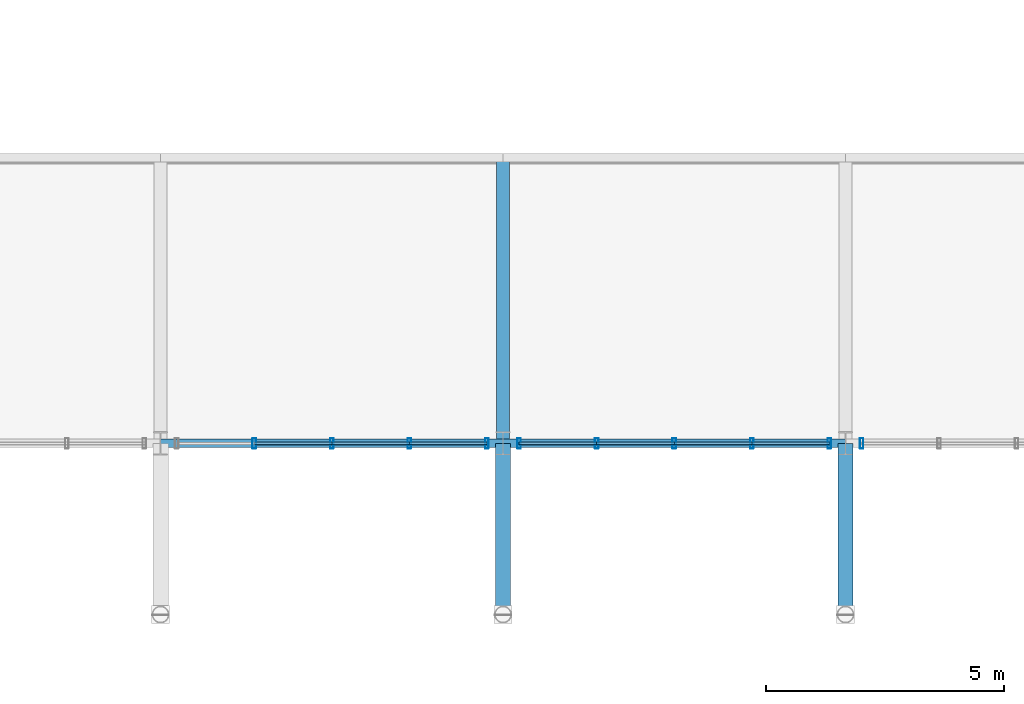
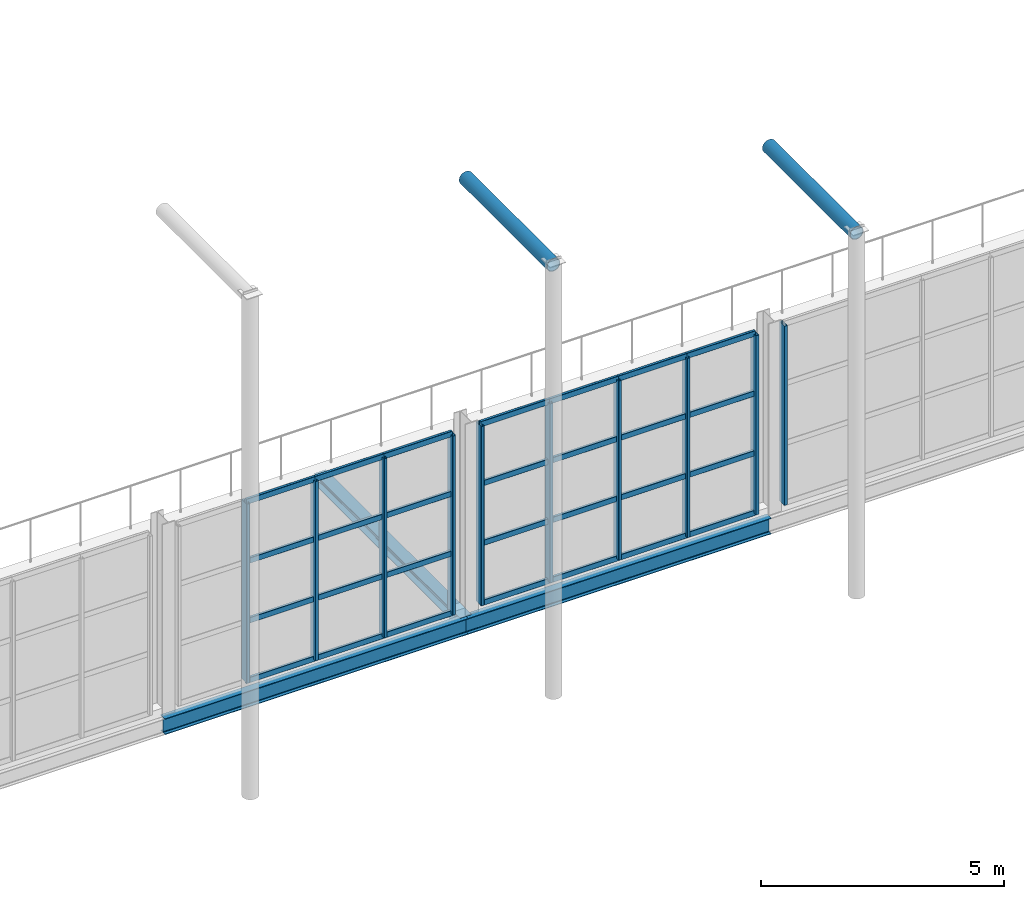
# One storey, part 20 of 143: 38 members, 5 beams, 3 elements without a shape of their own.
"""IFC4 building model written with IfcOpenShell, lengths in metres."""

from ifc_helpers import new_model, si_unit, derived_unit, direction, frame, origin, origin_2d, place, context, subcontext, project, spatial, hollow_rectangle, hollow_circle, i_section, extrude, material, material_profile, profile_set, type_object, element, aggregate, save


model = new_model("IFC4")

# Units and contexts
model_context = context("Model", 3, precision=1e-05, world=origin(), true_north=direction((0.0, 1.0)))
body_context = subcontext(model_context, "Body", "Model", "MODEL_VIEW")
ifc_project = project(units=[si_unit("LENGTHUNIT", "METRE"), si_unit("AREAUNIT", "SQUARE_METRE"), si_unit("VOLUMEUNIT", "CUBIC_METRE"), si_unit("PLANEANGLEUNIT", "RADIAN"), si_unit("MASSUNIT", "GRAM", prefix="KILO"), derived_unit("THERMALTRANSMITTANCEUNIT", [(si_unit("POWERUNIT", "WATT"), 1), (si_unit("LENGTHUNIT", "METRE"), -2), (si_unit("THERMODYNAMICTEMPERATUREUNIT", "KELVIN"), -1)])], contexts=[model_context])

# Site, building, storey
site_placement = place(None, origin())
site = spatial("IfcSite", under=ifc_project, at=site_placement, CompositionType="ELEMENT")
building_placement = place(site_placement, origin())
building = spatial("IfcBuilding", under=site, at=building_placement, Name="Keldorne Ridge Multi-Sports Centre", CompositionType="ELEMENT")
storey_placement = place(building_placement, frame((0.0, 0.0, 4.800048828125)))
storey = spatial("IfcBuildingStorey", under=building, at=storey_placement, Name="L01", CompositionType="ELEMENT", Elevation=4.800048828125)

# Beams
ifc_material_1 = material(Name="Steel S355", Category="steel")
ifc_material_profile_1 = material_profile(ifc_material_1, i_section(OverallWidth=0.179931640625, OverallDepth=0.39990234375, WebThickness=0.008544921875, FlangeThickness=0.013427734375, FilletRadius=0.02099609375, at=origin_2d()), Name="IPE 400")
ifc_profile_set_1 = profile_set([ifc_material_profile_1], Name="Steel S355")
beam_type_1 = type_object("IfcBeamType", Name="BM-B-04", PredefinedType="BEAM", material=ifc_profile_set_1)
beam_1_placement = place(storey_placement, frame((20.39990234375, 9.60009765625, -0.420166015625), z_axis=(1.0, 0.0, 0.0), x_axis=(0.0, 1.0, 0.0)))
element("IfcBeam", 1, at=beam_1_placement, inside=storey, type_object=beam_type_1, Name="L01 mezzanine south beam 3", PredefinedType="BEAM", context=body_context, shape_type="SweptSolid", body=[
    extrude(i_section(OverallWidth=0.179931640625, OverallDepth=0.39990234375, WebThickness=0.008544921875, FlangeThickness=0.013427734375, FilletRadius=0.02099609375, at=origin_2d()), origin(), (0.0, 0.0, 1.0), 7.2001953125),
])
beam_2_placement = place(storey_placement, frame((27.60009765625, 9.60009765625, -0.420166015625), z_axis=(1.0, 0.0, 0.0), x_axis=(0.0, 1.0, 0.0)))
element("IfcBeam", 2, at=beam_2_placement, inside=storey, type_object=beam_type_1, Name="L01 mezzanine south beam 4", PredefinedType="BEAM", context=body_context, shape_type="SweptSolid", body=[
    extrude(i_section(OverallWidth=0.179931640625, OverallDepth=0.39990234375, WebThickness=0.008544921875, FlangeThickness=0.013427734375, FilletRadius=0.02099609375, at=origin_2d()), origin(), (0.0, 0.0, 1.0), 7.199951171875),
])
ifc_material_profile_2 = material_profile(ifc_material_1, hollow_circle(Radius=0.161865234375, WallThickness=0.01611328125, at=origin_2d()), Name="CHS 323.9x16")
ifc_profile_set_2 = profile_set([ifc_material_profile_2], Name="Steel S355")
beam_type_2 = type_object("IfcBeamType", Name="BM-B-19", PredefinedType="BEAM", material=ifc_profile_set_2)
for number, where, z_axis, x_axis, name in (
    (3, (27.60009765625, 9.60009765625, 10.7900390625), (0.0, -1.0, 0.0), (1.0, 0.0, 0.0), "Colonnade eave rafter 04"),
    (4, (34.800048828125, 9.60009765625, 9.070068359375), (0.0, -1.0, 0.0), (1.0, 0.0, 0.0), "Colonnade eave rafter 05"),
):
    element("IfcBeam", number, at=place(storey_placement, frame(where, z_axis=z_axis, x_axis=x_axis)), inside=storey, type_object=beam_type_2, Name=name, PredefinedType="BEAM", context=body_context, shape_type="SweptSolid", body=[
        extrude(hollow_circle(Radius=0.161865234375, WallThickness=0.01611328125, at=origin_2d()), origin(), (0.0, 0.0, 1.0), 3.60009765625),
    ])
ifc_material_profile_3 = material_profile(ifc_material_1, i_section(OverallWidth=0.280029296875, OverallDepth=0.27001953125, WebThickness=0.008056640625, FlangeThickness=0.012939453125, FilletRadius=0.02392578125, at=origin_2d()), Name="HEA 280")
ifc_profile_set_3 = profile_set([ifc_material_profile_3], Name="Steel S355")
beam_type_3 = type_object("IfcBeamType", Name="BM-J-05", PredefinedType="JOIST", material=ifc_profile_set_3)
beam_3_placement = place(storey_placement, frame((27.60009765625, 9.60009765625, -0.35498046875), z_axis=(0.0, 1.0, 0.0), x_axis=(-1.0, 0.0, 0.0)))
element("IfcBeam", 5, at=beam_3_placement, inside=storey, type_object=beam_type_3, Name="L01 mezzanine cross beam 4", PredefinedType="JOIST", context=body_context, shape_type="SweptSolid", body=[
    extrude(i_section(OverallWidth=0.280029296875, OverallDepth=0.27001953125, WebThickness=0.008056640625, FlangeThickness=0.012939453125, FilletRadius=0.02392578125, at=origin_2d()), origin(), (0.0, 0.0, 1.0), 6.0),
])

# Curtain wall, members
ifc_material_2 = material(Name="Anodized aluminium", Category="aluminium")
curtain_wall_type_1 = type_object("IfcCurtainWallType", Name="CW-CW-07", PredefinedType="NOTDEFINED", material=ifc_material_2)
curtain_wall_1_placement = place(storey_placement, origin())
curtain_wall_1 = element("IfcCurtainWall", 6, at=curtain_wall_1_placement, inside=storey, type_object=curtain_wall_type_1, Name="Main Hall south mezzanine curtain wall 007", PredefinedType="NOTDEFINED")
ifc_material_profile_4 = material_profile(ifc_material_2, hollow_rectangle(XDim=0.074951171875, YDim=0.219970703125, WallThickness=0.0048828125, InnerFilletRadius=0.0048828125, OuterFilletRadius=0.010009765625, at=origin_2d()), Name="ALU MULLION 220x75x5")
ifc_profile_set_4 = profile_set([ifc_material_profile_4], Name="Anodized aluminium")
member_type_1 = type_object("IfcMemberType", Name="MEM-ML-02", PredefinedType="MULLION", material=ifc_profile_set_4)
member_1_placement = place(storey_placement, frame((22.3701171875, 9.60009765625, 0.0), z_axis=(0.0, 0.0, 1.0), x_axis=(1.0, 0.0, 0.0)))
member_1 = element("IfcMember", 7, at=member_1_placement, type_object=member_type_1, Name="CW-007 vertical mullion 2", PredefinedType="MULLION", context=body_context, shape_type="SweptSolid", body=[
    extrude(hollow_rectangle(XDim=0.074951171875, YDim=0.219970703125, WallThickness=0.0048828125, InnerFilletRadius=0.0048828125, OuterFilletRadius=0.010009765625, at=origin_2d()), origin(), (0.0, 0.0, 1.0), 4.5),
])
member_2_placement = place(storey_placement, frame((24.0, 9.60009765625, 0.0), z_axis=(0.0, 0.0, 1.0), x_axis=(1.0, 0.0, 0.0)))
member_2 = element("IfcMember", 8, at=member_2_placement, type_object=member_type_1, Name="CW-007 vertical mullion 3", PredefinedType="MULLION", context=body_context, shape_type="SweptSolid", body=[
    extrude(hollow_rectangle(XDim=0.074951171875, YDim=0.219970703125, WallThickness=0.0048828125, InnerFilletRadius=0.0048828125, OuterFilletRadius=0.010009765625, at=origin_2d()), origin(), (0.0, 0.0, 1.0), 4.5),
])
member_3_placement = place(storey_placement, frame((25.6298828125, 9.60009765625, 0.0), z_axis=(0.0, 0.0, 1.0), x_axis=(1.0, 0.0, 0.0)))
member_3 = element("IfcMember", 9, at=member_3_placement, type_object=member_type_1, Name="CW-007 vertical mullion 4", PredefinedType="MULLION", context=body_context, shape_type="SweptSolid", body=[
    extrude(hollow_rectangle(XDim=0.074951171875, YDim=0.219970703125, WallThickness=0.0048828125, InnerFilletRadius=0.0048828125, OuterFilletRadius=0.010009765625, at=origin_2d()), origin(), (0.0, 0.0, 1.0), 4.5),
])
member_4_placement = place(storey_placement, frame((27.260009765625, 9.60009765625, 0.0), z_axis=(0.0, 0.0, 1.0), x_axis=(1.0, 0.0, 0.0)))
member_4 = element("IfcMember", 10, at=member_4_placement, type_object=member_type_1, Name="CW-007 vertical mullion 5", PredefinedType="MULLION", context=body_context, shape_type="SweptSolid", body=[
    extrude(hollow_rectangle(XDim=0.074951171875, YDim=0.219970703125, WallThickness=0.0048828125, InnerFilletRadius=0.0048828125, OuterFilletRadius=0.010009765625, at=origin_2d()), origin(), (0.0, 0.0, 1.0), 4.5),
])

curtain_wall_type_2 = type_object("IfcCurtainWallType", Name="CW-CW-02", PredefinedType="NOTDEFINED", material=ifc_material_2)
curtain_wall_2_placement = place(storey_placement, origin())
curtain_wall_2 = element("IfcCurtainWall", 11, at=curtain_wall_2_placement, inside=storey, type_object=curtain_wall_type_2, Name="Main Hall south mezzanine curtain wall 010", PredefinedType="NOTDEFINED")
member_5_placement = place(storey_placement, frame((27.93994140625, 9.60009765625, 0.0), z_axis=(0.0, 0.0, 1.0), x_axis=(1.0, 0.0, 0.0)))
member_5 = element("IfcMember", 12, at=member_5_placement, type_object=member_type_1, Name="CW-010 vertical mullion 1", PredefinedType="MULLION", context=body_context, shape_type="SweptSolid", body=[
    extrude(hollow_rectangle(XDim=0.074951171875, YDim=0.219970703125, WallThickness=0.0048828125, InnerFilletRadius=0.0048828125, OuterFilletRadius=0.010009765625, at=origin_2d()), origin(), (0.0, 0.0, 1.0), 4.5),
])
member_6_placement = place(storey_placement, frame((29.570068359375, 9.60009765625, 0.0), z_axis=(0.0, 0.0, 1.0), x_axis=(1.0, 0.0, 0.0)))
member_6 = element("IfcMember", 13, at=member_6_placement, type_object=member_type_1, Name="CW-010 vertical mullion 2", PredefinedType="MULLION", context=body_context, shape_type="SweptSolid", body=[
    extrude(hollow_rectangle(XDim=0.074951171875, YDim=0.219970703125, WallThickness=0.0048828125, InnerFilletRadius=0.0048828125, OuterFilletRadius=0.010009765625, at=origin_2d()), origin(), (0.0, 0.0, 1.0), 4.5),
])
member_7_placement = place(storey_placement, frame((31.199951171875, 9.60009765625, 0.0), z_axis=(0.0, 0.0, 1.0), x_axis=(1.0, 0.0, 0.0)))
member_7 = element("IfcMember", 14, at=member_7_placement, type_object=member_type_1, Name="CW-010 vertical mullion 3", PredefinedType="MULLION", context=body_context, shape_type="SweptSolid", body=[
    extrude(hollow_rectangle(XDim=0.074951171875, YDim=0.219970703125, WallThickness=0.0048828125, InnerFilletRadius=0.0048828125, OuterFilletRadius=0.010009765625, at=origin_2d()), origin(), (0.0, 0.0, 1.0), 4.5),
])
member_8_placement = place(storey_placement, frame((32.830078125, 9.60009765625, 0.0), z_axis=(0.0, 0.0, 1.0), x_axis=(1.0, 0.0, 0.0)))
member_8 = element("IfcMember", 15, at=member_8_placement, type_object=member_type_1, Name="CW-010 vertical mullion 4", PredefinedType="MULLION", context=body_context, shape_type="SweptSolid", body=[
    extrude(hollow_rectangle(XDim=0.074951171875, YDim=0.219970703125, WallThickness=0.0048828125, InnerFilletRadius=0.0048828125, OuterFilletRadius=0.010009765625, at=origin_2d()), origin(), (0.0, 0.0, 1.0), 4.5),
])
member_9_placement = place(storey_placement, frame((34.4599609375, 9.60009765625, 0.0), z_axis=(0.0, 0.0, 1.0), x_axis=(1.0, 0.0, 0.0)))
member_9 = element("IfcMember", 16, at=member_9_placement, type_object=member_type_1, Name="CW-010 vertical mullion 5", PredefinedType="MULLION", context=body_context, shape_type="SweptSolid", body=[
    extrude(hollow_rectangle(XDim=0.074951171875, YDim=0.219970703125, WallThickness=0.0048828125, InnerFilletRadius=0.0048828125, OuterFilletRadius=0.010009765625, at=origin_2d()), origin(), (0.0, 0.0, 1.0), 4.5),
])

# Curtain wall, member
curtain_wall_type_3 = type_object("IfcCurtainWallType", Name="CW-CW-05", PredefinedType="NOTDEFINED", material=ifc_material_2)
curtain_wall_3_placement = place(storey_placement, origin())
curtain_wall_3 = element("IfcCurtainWall", 17, at=curtain_wall_3_placement, inside=storey, type_object=curtain_wall_type_3, Name="Main Hall south mezzanine curtain wall 013", PredefinedType="NOTDEFINED")
member_10_placement = place(storey_placement, frame((35.139892578125, 9.60009765625, 0.0), z_axis=(0.0, 0.0, 1.0), x_axis=(1.0, 0.0, 0.0)))
member_10 = element("IfcMember", 18, at=member_10_placement, type_object=member_type_1, Name="CW-013 vertical mullion 1", PredefinedType="MULLION", context=body_context, shape_type="SweptSolid", body=[
    extrude(hollow_rectangle(XDim=0.074951171875, YDim=0.219970703125, WallThickness=0.0048828125, InnerFilletRadius=0.0048828125, OuterFilletRadius=0.010009765625, at=origin_2d()), origin(), (0.0, 0.0, 1.0), 4.5),
])
aggregate(curtain_wall_3, [member_10])

# Member
ifc_material_profile_5 = material_profile(ifc_material_2, hollow_rectangle(XDim=0.06494140625, YDim=0.139892578125, WallThickness=0.00439453125, InnerFilletRadius=0.00439453125, OuterFilletRadius=0.009033203125, at=origin_2d()), Name="ALU TRANSOM 140x65x4.5")
ifc_profile_set_5 = profile_set([ifc_material_profile_5], Name="Anodized aluminium")
member_type_2 = type_object("IfcMemberType", Name="MEM-TR-01", PredefinedType="USERDEFINED", material=ifc_profile_set_5)
member_11_placement = place(storey_placement, frame((22.3701171875, 9.60009765625, 0.0), z_axis=(1.0, 0.0, 0.0), x_axis=(0.0, 1.0, 0.0)))
member_11 = element("IfcMember", 19, at=member_11_placement, type_object=member_type_2, Name="CW-007 transom 2.1", ObjectType="TRANSOM", PredefinedType="USERDEFINED", context=body_context, shape_type="SweptSolid", body=[
    extrude(hollow_rectangle(XDim=0.06494140625, YDim=0.139892578125, WallThickness=0.00439453125, InnerFilletRadius=0.00439453125, OuterFilletRadius=0.009033203125, at=origin_2d()), origin(), (0.0, 0.0, 1.0), 1.6298828125),
])

member_12_placement = place(storey_placement, frame((22.3701171875, 9.60009765625, 1.5), z_axis=(1.0, 0.0, 0.0), x_axis=(0.0, 1.0, 0.0)))
member_12 = element("IfcMember", 20, at=member_12_placement, type_object=member_type_2, Name="CW-007 transom 2.2", ObjectType="TRANSOM", PredefinedType="USERDEFINED", context=body_context, shape_type="SweptSolid", body=[
    extrude(hollow_rectangle(XDim=0.06494140625, YDim=0.139892578125, WallThickness=0.00439453125, InnerFilletRadius=0.00439453125, OuterFilletRadius=0.009033203125, at=origin_2d()), origin(), (0.0, 0.0, 1.0), 1.6298828125),
])

member_13_placement = place(storey_placement, frame((22.3701171875, 9.60009765625, 3.0), z_axis=(1.0, 0.0, 0.0), x_axis=(0.0, 1.0, 0.0)))
member_13 = element("IfcMember", 21, at=member_13_placement, type_object=member_type_2, Name="CW-007 transom 2.3", ObjectType="TRANSOM", PredefinedType="USERDEFINED", context=body_context, shape_type="SweptSolid", body=[
    extrude(hollow_rectangle(XDim=0.06494140625, YDim=0.139892578125, WallThickness=0.00439453125, InnerFilletRadius=0.00439453125, OuterFilletRadius=0.009033203125, at=origin_2d()), origin(), (0.0, 0.0, 1.0), 1.6298828125),
])

member_14_placement = place(storey_placement, frame((22.3701171875, 9.60009765625, 4.5), z_axis=(1.0, 0.0, 0.0), x_axis=(0.0, 1.0, 0.0)))
member_14 = element("IfcMember", 22, at=member_14_placement, type_object=member_type_2, Name="CW-007 transom 2.4", ObjectType="TRANSOM", PredefinedType="USERDEFINED", context=body_context, shape_type="SweptSolid", body=[
    extrude(hollow_rectangle(XDim=0.06494140625, YDim=0.139892578125, WallThickness=0.00439453125, InnerFilletRadius=0.00439453125, OuterFilletRadius=0.009033203125, at=origin_2d()), origin(), (0.0, 0.0, 1.0), 1.6298828125),
])

member_15_placement = place(storey_placement, frame((24.0, 9.60009765625, 0.0), z_axis=(1.0, 0.0, 0.0), x_axis=(0.0, 1.0, 0.0)))
member_15 = element("IfcMember", 23, at=member_15_placement, type_object=member_type_2, Name="CW-007 transom 3.1", ObjectType="TRANSOM", PredefinedType="USERDEFINED", context=body_context, shape_type="SweptSolid", body=[
    extrude(hollow_rectangle(XDim=0.06494140625, YDim=0.139892578125, WallThickness=0.00439453125, InnerFilletRadius=0.00439453125, OuterFilletRadius=0.009033203125, at=origin_2d()), origin(), (0.0, 0.0, 1.0), 1.6298828125),
])

member_16_placement = place(storey_placement, frame((24.0, 9.60009765625, 1.5), z_axis=(1.0, 0.0, 0.0), x_axis=(0.0, 1.0, 0.0)))
member_16 = element("IfcMember", 24, at=member_16_placement, type_object=member_type_2, Name="CW-007 transom 3.2", ObjectType="TRANSOM", PredefinedType="USERDEFINED", context=body_context, shape_type="SweptSolid", body=[
    extrude(hollow_rectangle(XDim=0.06494140625, YDim=0.139892578125, WallThickness=0.00439453125, InnerFilletRadius=0.00439453125, OuterFilletRadius=0.009033203125, at=origin_2d()), origin(), (0.0, 0.0, 1.0), 1.6298828125),
])

member_17_placement = place(storey_placement, frame((24.0, 9.60009765625, 3.0), z_axis=(1.0, 0.0, 0.0), x_axis=(0.0, 1.0, 0.0)))
member_17 = element("IfcMember", 25, at=member_17_placement, type_object=member_type_2, Name="CW-007 transom 3.3", ObjectType="TRANSOM", PredefinedType="USERDEFINED", context=body_context, shape_type="SweptSolid", body=[
    extrude(hollow_rectangle(XDim=0.06494140625, YDim=0.139892578125, WallThickness=0.00439453125, InnerFilletRadius=0.00439453125, OuterFilletRadius=0.009033203125, at=origin_2d()), origin(), (0.0, 0.0, 1.0), 1.6298828125),
])

member_18_placement = place(storey_placement, frame((24.0, 9.60009765625, 4.5), z_axis=(1.0, 0.0, 0.0), x_axis=(0.0, 1.0, 0.0)))
member_18 = element("IfcMember", 26, at=member_18_placement, type_object=member_type_2, Name="CW-007 transom 3.4", ObjectType="TRANSOM", PredefinedType="USERDEFINED", context=body_context, shape_type="SweptSolid", body=[
    extrude(hollow_rectangle(XDim=0.06494140625, YDim=0.139892578125, WallThickness=0.00439453125, InnerFilletRadius=0.00439453125, OuterFilletRadius=0.009033203125, at=origin_2d()), origin(), (0.0, 0.0, 1.0), 1.6298828125),
])

member_19_placement = place(storey_placement, frame((25.6298828125, 9.60009765625, 0.0), z_axis=(1.0, 0.0, 0.0), x_axis=(0.0, 1.0, 0.0)))
member_19 = element("IfcMember", 27, at=member_19_placement, type_object=member_type_2, Name="CW-007 transom 4.1", ObjectType="TRANSOM", PredefinedType="USERDEFINED", context=body_context, shape_type="SweptSolid", body=[
    extrude(hollow_rectangle(XDim=0.06494140625, YDim=0.139892578125, WallThickness=0.00439453125, InnerFilletRadius=0.00439453125, OuterFilletRadius=0.009033203125, at=origin_2d()), origin(), (0.0, 0.0, 1.0), 1.630126953125),
])

member_20_placement = place(storey_placement, frame((25.6298828125, 9.60009765625, 1.5), z_axis=(1.0, 0.0, 0.0), x_axis=(0.0, 1.0, 0.0)))
member_20 = element("IfcMember", 28, at=member_20_placement, type_object=member_type_2, Name="CW-007 transom 4.2", ObjectType="TRANSOM", PredefinedType="USERDEFINED", context=body_context, shape_type="SweptSolid", body=[
    extrude(hollow_rectangle(XDim=0.06494140625, YDim=0.139892578125, WallThickness=0.00439453125, InnerFilletRadius=0.00439453125, OuterFilletRadius=0.009033203125, at=origin_2d()), origin(), (0.0, 0.0, 1.0), 1.630126953125),
])

member_21_placement = place(storey_placement, frame((25.6298828125, 9.60009765625, 3.0), z_axis=(1.0, 0.0, 0.0), x_axis=(0.0, 1.0, 0.0)))
member_21 = element("IfcMember", 29, at=member_21_placement, type_object=member_type_2, Name="CW-007 transom 4.3", ObjectType="TRANSOM", PredefinedType="USERDEFINED", context=body_context, shape_type="SweptSolid", body=[
    extrude(hollow_rectangle(XDim=0.06494140625, YDim=0.139892578125, WallThickness=0.00439453125, InnerFilletRadius=0.00439453125, OuterFilletRadius=0.009033203125, at=origin_2d()), origin(), (0.0, 0.0, 1.0), 1.630126953125),
])

member_22_placement = place(storey_placement, frame((25.6298828125, 9.60009765625, 4.5), z_axis=(1.0, 0.0, 0.0), x_axis=(0.0, 1.0, 0.0)))
member_22 = element("IfcMember", 30, at=member_22_placement, type_object=member_type_2, Name="CW-007 transom 4.4", ObjectType="TRANSOM", PredefinedType="USERDEFINED", context=body_context, shape_type="SweptSolid", body=[
    extrude(hollow_rectangle(XDim=0.06494140625, YDim=0.139892578125, WallThickness=0.00439453125, InnerFilletRadius=0.00439453125, OuterFilletRadius=0.009033203125, at=origin_2d()), origin(), (0.0, 0.0, 1.0), 1.630126953125),
])

aggregate(curtain_wall_1, [member_1, member_2, member_3, member_4, member_11, member_12, member_13, member_14, member_15, member_16, member_17, member_18, member_19, member_20, member_21, member_22])

member_23_placement = place(storey_placement, frame((27.93994140625, 9.60009765625, 0.0), z_axis=(1.0, 0.0, 0.0), x_axis=(0.0, 1.0, 0.0)))
member_23 = element("IfcMember", 31, at=member_23_placement, type_object=member_type_2, Name="CW-010 transom 1.1", ObjectType="TRANSOM", PredefinedType="USERDEFINED", context=body_context, shape_type="SweptSolid", body=[
    extrude(hollow_rectangle(XDim=0.06494140625, YDim=0.139892578125, WallThickness=0.00439453125, InnerFilletRadius=0.00439453125, OuterFilletRadius=0.009033203125, at=origin_2d()), origin(), (0.0, 0.0, 1.0), 1.630126953125),
])

member_24_placement = place(storey_placement, frame((27.93994140625, 9.60009765625, 1.5), z_axis=(1.0, 0.0, 0.0), x_axis=(0.0, 1.0, 0.0)))
member_24 = element("IfcMember", 32, at=member_24_placement, type_object=member_type_2, Name="CW-010 transom 1.2", ObjectType="TRANSOM", PredefinedType="USERDEFINED", context=body_context, shape_type="SweptSolid", body=[
    extrude(hollow_rectangle(XDim=0.06494140625, YDim=0.139892578125, WallThickness=0.00439453125, InnerFilletRadius=0.00439453125, OuterFilletRadius=0.009033203125, at=origin_2d()), origin(), (0.0, 0.0, 1.0), 1.630126953125),
])

member_25_placement = place(storey_placement, frame((27.93994140625, 9.60009765625, 3.0), z_axis=(1.0, 0.0, 0.0), x_axis=(0.0, 1.0, 0.0)))
member_25 = element("IfcMember", 33, at=member_25_placement, type_object=member_type_2, Name="CW-010 transom 1.3", ObjectType="TRANSOM", PredefinedType="USERDEFINED", context=body_context, shape_type="SweptSolid", body=[
    extrude(hollow_rectangle(XDim=0.06494140625, YDim=0.139892578125, WallThickness=0.00439453125, InnerFilletRadius=0.00439453125, OuterFilletRadius=0.009033203125, at=origin_2d()), origin(), (0.0, 0.0, 1.0), 1.630126953125),
])

member_26_placement = place(storey_placement, frame((27.93994140625, 9.60009765625, 4.5), z_axis=(1.0, 0.0, 0.0), x_axis=(0.0, 1.0, 0.0)))
member_26 = element("IfcMember", 34, at=member_26_placement, type_object=member_type_2, Name="CW-010 transom 1.4", ObjectType="TRANSOM", PredefinedType="USERDEFINED", context=body_context, shape_type="SweptSolid", body=[
    extrude(hollow_rectangle(XDim=0.06494140625, YDim=0.139892578125, WallThickness=0.00439453125, InnerFilletRadius=0.00439453125, OuterFilletRadius=0.009033203125, at=origin_2d()), origin(), (0.0, 0.0, 1.0), 1.630126953125),
])

member_27_placement = place(storey_placement, frame((29.570068359375, 9.60009765625, 0.0), z_axis=(1.0, 0.0, 0.0), x_axis=(0.0, 1.0, 0.0)))
member_27 = element("IfcMember", 35, at=member_27_placement, type_object=member_type_2, Name="CW-010 transom 2.1", ObjectType="TRANSOM", PredefinedType="USERDEFINED", context=body_context, shape_type="SweptSolid", body=[
    extrude(hollow_rectangle(XDim=0.06494140625, YDim=0.139892578125, WallThickness=0.00439453125, InnerFilletRadius=0.00439453125, OuterFilletRadius=0.009033203125, at=origin_2d()), origin(), (0.0, 0.0, 1.0), 1.6298828125),
])

member_28_placement = place(storey_placement, frame((29.570068359375, 9.60009765625, 1.5), z_axis=(1.0, 0.0, 0.0), x_axis=(0.0, 1.0, 0.0)))
member_28 = element("IfcMember", 36, at=member_28_placement, type_object=member_type_2, Name="CW-010 transom 2.2", ObjectType="TRANSOM", PredefinedType="USERDEFINED", context=body_context, shape_type="SweptSolid", body=[
    extrude(hollow_rectangle(XDim=0.06494140625, YDim=0.139892578125, WallThickness=0.00439453125, InnerFilletRadius=0.00439453125, OuterFilletRadius=0.009033203125, at=origin_2d()), origin(), (0.0, 0.0, 1.0), 1.6298828125),
])

member_29_placement = place(storey_placement, frame((29.570068359375, 9.60009765625, 3.0), z_axis=(1.0, 0.0, 0.0), x_axis=(0.0, 1.0, 0.0)))
member_29 = element("IfcMember", 37, at=member_29_placement, type_object=member_type_2, Name="CW-010 transom 2.3", ObjectType="TRANSOM", PredefinedType="USERDEFINED", context=body_context, shape_type="SweptSolid", body=[
    extrude(hollow_rectangle(XDim=0.06494140625, YDim=0.139892578125, WallThickness=0.00439453125, InnerFilletRadius=0.00439453125, OuterFilletRadius=0.009033203125, at=origin_2d()), origin(), (0.0, 0.0, 1.0), 1.6298828125),
])

member_30_placement = place(storey_placement, frame((29.570068359375, 9.60009765625, 4.5), z_axis=(1.0, 0.0, 0.0), x_axis=(0.0, 1.0, 0.0)))
member_30 = element("IfcMember", 38, at=member_30_placement, type_object=member_type_2, Name="CW-010 transom 2.4", ObjectType="TRANSOM", PredefinedType="USERDEFINED", context=body_context, shape_type="SweptSolid", body=[
    extrude(hollow_rectangle(XDim=0.06494140625, YDim=0.139892578125, WallThickness=0.00439453125, InnerFilletRadius=0.00439453125, OuterFilletRadius=0.009033203125, at=origin_2d()), origin(), (0.0, 0.0, 1.0), 1.6298828125),
])

member_31_placement = place(storey_placement, frame((31.199951171875, 9.60009765625, 0.0), z_axis=(1.0, 0.0, 0.0), x_axis=(0.0, 1.0, 0.0)))
member_31 = element("IfcMember", 39, at=member_31_placement, type_object=member_type_2, Name="CW-010 transom 3.1", ObjectType="TRANSOM", PredefinedType="USERDEFINED", context=body_context, shape_type="SweptSolid", body=[
    extrude(hollow_rectangle(XDim=0.06494140625, YDim=0.139892578125, WallThickness=0.00439453125, InnerFilletRadius=0.00439453125, OuterFilletRadius=0.009033203125, at=origin_2d()), origin(), (0.0, 0.0, 1.0), 1.630126953125),
])

member_32_placement = place(storey_placement, frame((31.199951171875, 9.60009765625, 1.5), z_axis=(1.0, 0.0, 0.0), x_axis=(0.0, 1.0, 0.0)))
member_32 = element("IfcMember", 40, at=member_32_placement, type_object=member_type_2, Name="CW-010 transom 3.2", ObjectType="TRANSOM", PredefinedType="USERDEFINED", context=body_context, shape_type="SweptSolid", body=[
    extrude(hollow_rectangle(XDim=0.06494140625, YDim=0.139892578125, WallThickness=0.00439453125, InnerFilletRadius=0.00439453125, OuterFilletRadius=0.009033203125, at=origin_2d()), origin(), (0.0, 0.0, 1.0), 1.630126953125),
])

member_33_placement = place(storey_placement, frame((31.199951171875, 9.60009765625, 3.0), z_axis=(1.0, 0.0, 0.0), x_axis=(0.0, 1.0, 0.0)))
member_33 = element("IfcMember", 41, at=member_33_placement, type_object=member_type_2, Name="CW-010 transom 3.3", ObjectType="TRANSOM", PredefinedType="USERDEFINED", context=body_context, shape_type="SweptSolid", body=[
    extrude(hollow_rectangle(XDim=0.06494140625, YDim=0.139892578125, WallThickness=0.00439453125, InnerFilletRadius=0.00439453125, OuterFilletRadius=0.009033203125, at=origin_2d()), origin(), (0.0, 0.0, 1.0), 1.630126953125),
])

member_34_placement = place(storey_placement, frame((31.199951171875, 9.60009765625, 4.5), z_axis=(1.0, 0.0, 0.0), x_axis=(0.0, 1.0, 0.0)))
member_34 = element("IfcMember", 42, at=member_34_placement, type_object=member_type_2, Name="CW-010 transom 3.4", ObjectType="TRANSOM", PredefinedType="USERDEFINED", context=body_context, shape_type="SweptSolid", body=[
    extrude(hollow_rectangle(XDim=0.06494140625, YDim=0.139892578125, WallThickness=0.00439453125, InnerFilletRadius=0.00439453125, OuterFilletRadius=0.009033203125, at=origin_2d()), origin(), (0.0, 0.0, 1.0), 1.630126953125),
])

member_35_placement = place(storey_placement, frame((32.830078125, 9.60009765625, 0.0), z_axis=(1.0, 0.0, 0.0), x_axis=(0.0, 1.0, 0.0)))
member_35 = element("IfcMember", 43, at=member_35_placement, type_object=member_type_2, Name="CW-010 transom 4.1", ObjectType="TRANSOM", PredefinedType="USERDEFINED", context=body_context, shape_type="SweptSolid", body=[
    extrude(hollow_rectangle(XDim=0.06494140625, YDim=0.139892578125, WallThickness=0.00439453125, InnerFilletRadius=0.00439453125, OuterFilletRadius=0.009033203125, at=origin_2d()), origin(), (0.0, 0.0, 1.0), 1.6298828125),
])

member_36_placement = place(storey_placement, frame((32.830078125, 9.60009765625, 1.5), z_axis=(1.0, 0.0, 0.0), x_axis=(0.0, 1.0, 0.0)))
member_36 = element("IfcMember", 44, at=member_36_placement, type_object=member_type_2, Name="CW-010 transom 4.2", ObjectType="TRANSOM", PredefinedType="USERDEFINED", context=body_context, shape_type="SweptSolid", body=[
    extrude(hollow_rectangle(XDim=0.06494140625, YDim=0.139892578125, WallThickness=0.00439453125, InnerFilletRadius=0.00439453125, OuterFilletRadius=0.009033203125, at=origin_2d()), origin(), (0.0, 0.0, 1.0), 1.6298828125),
])

member_37_placement = place(storey_placement, frame((32.830078125, 9.60009765625, 3.0), z_axis=(1.0, 0.0, 0.0), x_axis=(0.0, 1.0, 0.0)))
member_37 = element("IfcMember", 45, at=member_37_placement, type_object=member_type_2, Name="CW-010 transom 4.3", ObjectType="TRANSOM", PredefinedType="USERDEFINED", context=body_context, shape_type="SweptSolid", body=[
    extrude(hollow_rectangle(XDim=0.06494140625, YDim=0.139892578125, WallThickness=0.00439453125, InnerFilletRadius=0.00439453125, OuterFilletRadius=0.009033203125, at=origin_2d()), origin(), (0.0, 0.0, 1.0), 1.6298828125),
])

member_38_placement = place(storey_placement, frame((32.830078125, 9.60009765625, 4.5), z_axis=(1.0, 0.0, 0.0), x_axis=(0.0, 1.0, 0.0)))
member_38 = element("IfcMember", 46, at=member_38_placement, type_object=member_type_2, Name="CW-010 transom 4.4", ObjectType="TRANSOM", PredefinedType="USERDEFINED", context=body_context, shape_type="SweptSolid", body=[
    extrude(hollow_rectangle(XDim=0.06494140625, YDim=0.139892578125, WallThickness=0.00439453125, InnerFilletRadius=0.00439453125, OuterFilletRadius=0.009033203125, at=origin_2d()), origin(), (0.0, 0.0, 1.0), 1.6298828125),
])

aggregate(curtain_wall_2, [member_5, member_6, member_7, member_8, member_9, member_23, member_24, member_25, member_26, member_27, member_28, member_29, member_30, member_31, member_32, member_33, member_34, member_35, member_36, member_37, member_38])

save(model, "model.ifc")
